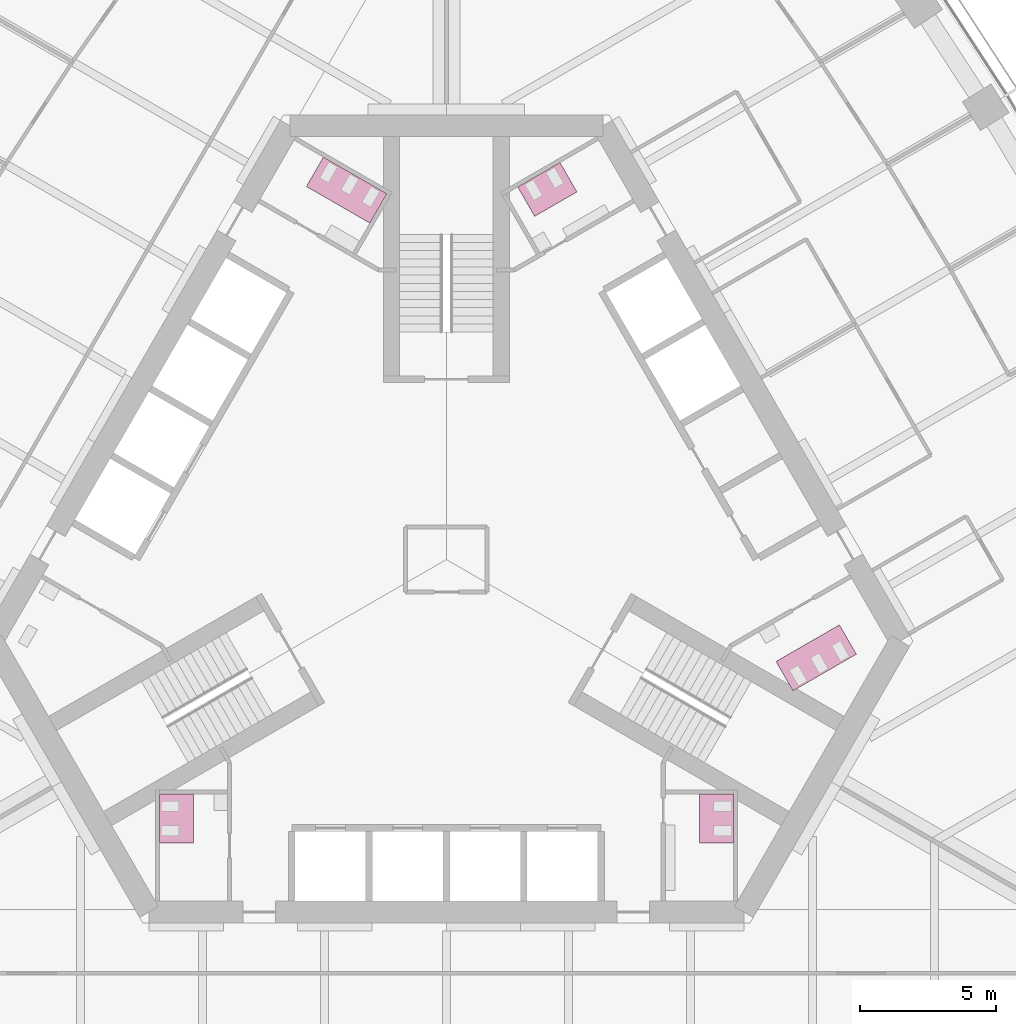
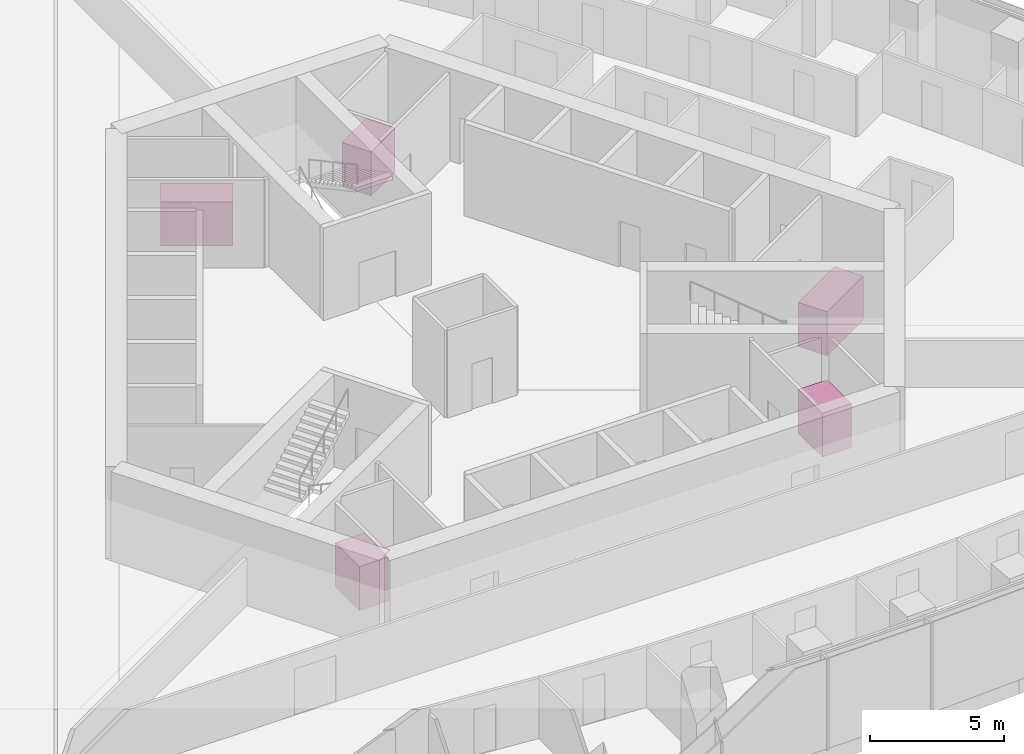
# One storey, part 21 of 21: 5 furniture elements.
"""IFC4 building model written with IfcOpenShell, lengths in metres."""

from ifc_helpers import new_model, si_unit, direction, frame, origin, place, context, subcontext, project, spatial, polyline, outline, extrude, material, type_object, element, save


model = new_model("IFC4")

# Units and contexts
model_context = context("Model", 3, precision=1e-05, world=origin(), true_north=direction((0.0, 1.0)))
body_context = subcontext(model_context, "Body", "Model", "MODEL_VIEW")
ifc_project = project(units=[si_unit("LENGTHUNIT", "METRE"), si_unit("AREAUNIT", "SQUARE_METRE"), si_unit("VOLUMEUNIT", "CUBIC_METRE"), si_unit("PLANEANGLEUNIT", "RADIAN"), si_unit("MASSUNIT", "GRAM", prefix="KILO")], contexts=[model_context])

# Site, building, storey
site_placement = place(None, origin())
site = spatial("IfcSite", under=ifc_project, at=site_placement, CompositionType="ELEMENT")
building_placement = place(site_placement, origin())
building = spatial("IfcBuilding", under=site, at=building_placement, Name="Trefoil Bronze Tower", CompositionType="ELEMENT")
storey_placement = place(building_placement, frame((0.0, 0.0, 153.5)))
storey = spatial("IfcBuildingStorey", under=building, at=storey_placement, Name="L35", CompositionType="ELEMENT", Elevation=153.5)

# Furniture
ifc_material_1 = material(Name="Compact laminate cubicles", Category="plastic")
furniture_type_1 = type_object("IfcFurnitureType", Name="WC cubicle range 2 cubicles", AssemblyPlace="FACTORY", PredefinedType="USERDEFINED", material=ifc_material_1)
furniture_1_placement = place(storey_placement, origin())
element("IfcFurniture", 1, at=furniture_1_placement, inside=storey, type_object=furniture_type_1, Name="WC cubicle range WC (men) L35", ObjectType="WC cubicle range", PredefinedType="USERDEFINED", context=body_context, shape_type="SweptSolid", body=[
    extrude(outline(polyline([(9.3349609375, -8.64990234375), (10.5849609375, -8.64990234375), (10.5849609375, -10.449951171875), (9.3349609375, -10.449951171875), (9.3349609375, -8.64990234375)])), origin(), (0.0, 0.0, 1.0), 2.0),
])
furniture_2_placement = place(storey_placement, origin())
element("IfcFurniture", 2, at=furniture_2_placement, inside=storey, type_object=furniture_type_1, Name="WC cubicle range WC (men) L35", ObjectType="WC cubicle range", PredefinedType="USERDEFINED", context=body_context, shape_type="SweptSolid", body=[
    extrude(outline(polyline([(3.256591796875, 12.659423828125), (2.631591796875, 13.741943359375), (4.1904296875, 14.641845703125), (4.8154296875, 13.559326171875), (3.256591796875, 12.659423828125)])), origin(), (0.0, 0.0, 1.0), 2.0),
])
furniture_3_placement = place(storey_placement, origin())
element("IfcFurniture", 3, at=furniture_3_placement, inside=storey, type_object=furniture_type_1, Name="WC cubicle range WC (women) L35", ObjectType="WC cubicle range", PredefinedType="USERDEFINED", context=body_context, shape_type="SweptSolid", body=[
    extrude(outline(polyline([(-9.3349609375, -8.64990234375), (-10.5849609375, -8.64990234375), (-10.5849609375, -10.449951171875), (-9.3349609375, -10.449951171875), (-9.3349609375, -8.64990234375)])), origin(), (0.0, 0.0, 1.0), 2.0),
])
ifc_material_2 = material(Name="Compact laminate cubicles", Category="plastic")
furniture_type_2 = type_object("IfcFurnitureType", Name="WC cubicle range 3 cubicles", AssemblyPlace="FACTORY", PredefinedType="USERDEFINED", material=ifc_material_2)
furniture_4_placement = place(storey_placement, origin())
element("IfcFurniture", 4, at=furniture_4_placement, inside=storey, type_object=furniture_type_2, Name="WC cubicle range WC (women) L35", ObjectType="WC cubicle range", PredefinedType="USERDEFINED", context=body_context, shape_type="SweptSolid", body=[
    extrude(outline(polyline([(12.15869140625, -3.75927734375), (12.78369140625, -4.841796875), (15.121826171875, -3.491943359375), (14.496826171875, -2.409423828125), (12.15869140625, -3.75927734375)])), origin(), (0.0, 0.0, 1.0), 2.0),
])
furniture_5_placement = place(storey_placement, origin())
element("IfcFurniture", 5, at=furniture_5_placement, inside=storey, type_object=furniture_type_2, Name="WC cubicle range WC (women) L35", ObjectType="WC cubicle range", PredefinedType="USERDEFINED", context=body_context, shape_type="SweptSolid", body=[
    extrude(outline(polyline([(-2.82373046875, 12.409423828125), (-2.19873046875, 13.491943359375), (-4.536865234375, 14.841796875), (-5.161865234375, 13.75927734375), (-2.82373046875, 12.409423828125)])), origin(), (0.0, 0.0, 1.0), 2.0),
])

save(model, "model.ifc")
